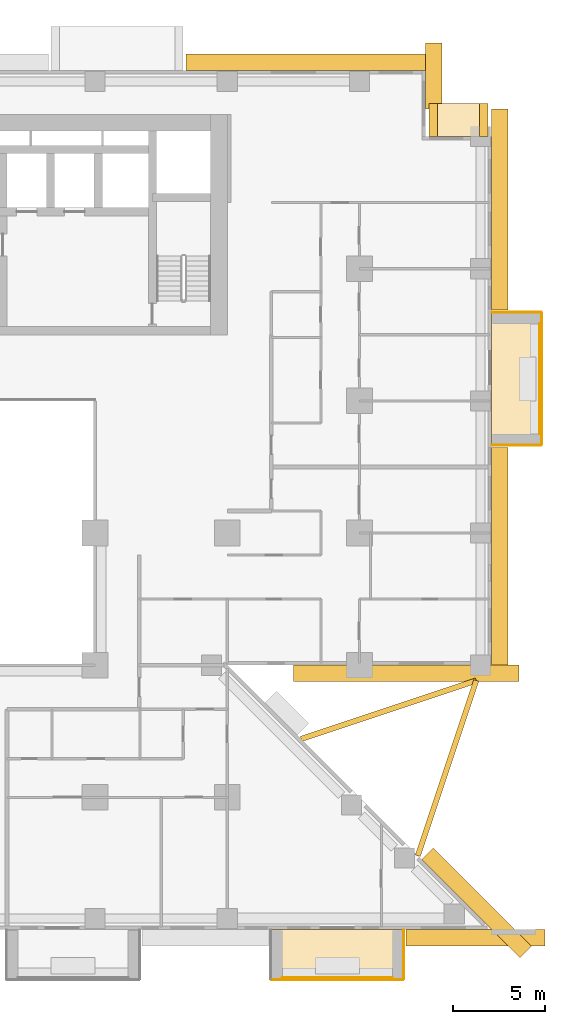
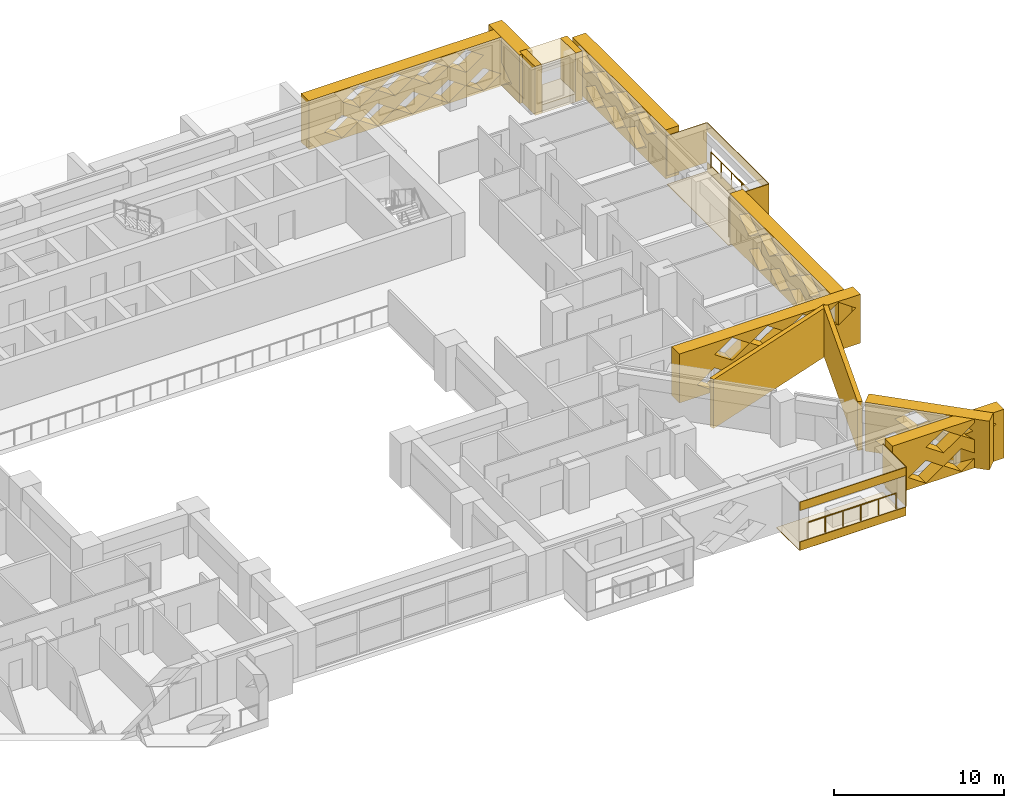
# One storey, part 17 of 17: 22 coverings, 2 railings.
"""IFC4 building model written with IfcOpenShell, lengths in metres."""

import ifcopenshell
import ifcopenshell.guid

model = None  # the IFC model being written
_history = None  # IfcOwnerHistory: only IFC2X3 demands one
_inside = {}  # id of a spatial element -> (the spatial element, [elements in it])
_under = {}  # id of a project, library or spatial element -> (it, [spatial elements below it])
_declared = {}  # id of a project -> (the project, [libraries it declares])
_typed = {}  # id of a type object -> (the type object, [elements of that type])
_made_of = {}  # id of a material, layer set ... -> (it, [elements and type objects made of it])


def new_model(schema):
    """Start an empty IFC model of exactly this schema.

    Asked for "IFC4X3", IfcOpenShell would pick the latest addendum, in which some entities
    have other attributes; the version numbers below select the first issue.
    IFC2X3 requires an IfcOwnerHistory on every rooted entity: one is made here for all.
    """
    global model, _history
    if schema == "IFC4X3":
        model = ifcopenshell.file(schema_version=(4, 3, 0, 0))
    else:
        model = ifcopenshell.file(schema=schema)
    _inside.clear()
    _under.clear()
    _declared.clear()
    _typed.clear()
    _made_of.clear()
    _history = None
    if model.schema == "IFC2X3":
        org = make("IfcOrganization", Name="unknown")
        user = make(
            "IfcPersonAndOrganization",
            ThePerson=make("IfcPerson", FamilyName="unknown"),
            TheOrganization=org,
        )
        app = make(
            "IfcApplication",
            ApplicationDeveloper=org,
            Version="unknown",
            ApplicationFullName="unknown",
            ApplicationIdentifier="unknown",
        )
        _history = make(
            "IfcOwnerHistory",
            OwningUser=user,
            OwningApplication=app,
            ChangeAction="ADDED",
            CreationDate=0,
        )
    return model


def make(cls, **values):
    """One entity of the class cls with the attributes given. An attribute that is None is left unset."""
    return model.create_entity(
        cls, **{name: value for name, value in values.items() if value is not None}
    )


def rooted(cls, **values):
    """An entity with a GlobalId (a new one), such as an element, a storey or a relation."""
    return make(cls, GlobalId=ifcopenshell.guid.new(), OwnerHistory=_history, **values)


def si_unit(unit_type, name, prefix=None):
    """IfcSIUnit, for example si_unit("LENGTHUNIT", "METRE", prefix="MILLI")."""
    return make("IfcSIUnit", UnitType=unit_type, Prefix=prefix, Name=name)


def assignment(units):
    """IfcUnitAssignment: the units of a project."""
    return None if units is None else make("IfcUnitAssignment", Units=units)


def point(xyz):
    """IfcCartesianPoint."""
    return None if xyz is None else make("IfcCartesianPoint", Coordinates=xyz)


def direction(xyz):
    """IfcDirection."""
    return None if xyz is None else make("IfcDirection", DirectionRatios=xyz)


def frame(location, z_axis=None, x_axis=None):
    """IfcAxis2Placement3D, a coordinate frame: its origin and axes. An axis left out is left unset."""
    return make(
        "IfcAxis2Placement3D",
        Location=point(location),
        Axis=direction(z_axis),
        RefDirection=direction(x_axis),
    )


def frame_2d(location, x_axis=None):
    """IfcAxis2Placement2D, a coordinate frame in the plane: its origin and x axis."""
    return make(
        "IfcAxis2Placement2D", Location=point(location), RefDirection=direction(x_axis)
    )


def origin():
    """The frame at (0, 0, 0) with its axes left unset."""
    return frame((0.0, 0.0, 0.0))


def origin_2d():
    """The frame at (0, 0) in the plane with its x axis left unset."""
    return frame_2d((0.0, 0.0))


def place(relative_to, where):
    """IfcLocalPlacement: puts the frame where relative to a parent placement (None: the world)."""
    return make(
        "IfcLocalPlacement", PlacementRelTo=relative_to, RelativePlacement=where
    )


def context(
    kind, dimensions, precision=None, world=None, true_north=None, identifier=None
):
    """IfcGeometricRepresentationContext, for example the 3D "Model" context."""
    return make(
        "IfcGeometricRepresentationContext",
        ContextIdentifier=identifier,
        ContextType=kind,
        CoordinateSpaceDimension=dimensions,
        Precision=precision,
        WorldCoordinateSystem=world,
        TrueNorth=true_north,
    )


def subcontext(parent, identifier, kind, view, scale=None):
    """IfcGeometricRepresentationSubContext, for example "Body" below "Model"."""
    return make(
        "IfcGeometricRepresentationSubContext",
        ContextIdentifier=identifier,
        ContextType=kind,
        ParentContext=parent,
        TargetScale=scale,
        TargetView=view,
    )


def project(units=None, contexts=None):
    """IfcProject with its units and contexts."""
    return rooted(
        "IfcProject",
        Name="project",
        RepresentationContexts=contexts,
        UnitsInContext=assignment(units),
    )


def spatial(cls, under=None, at=None, **own):
    """A site, building, storey or space (cls), placed at a placement, below another one or the project."""
    s = rooted(cls, ObjectPlacement=at, **own)
    if under is not None:
        _under.setdefault(under.id(), (under, []))[1].append(s)
    return s


def polyline(points):
    """IfcPolyline through the points."""
    return make("IfcPolyline", Points=[point(p) for p in points])


def profile(cls, at=None, kind="AREA", **sizes):
    """A parametric profile (cls). Its sizes go by their IFC names, for example OverallWidth=200.0."""
    return make(cls, ProfileType=kind, Position=at, **sizes)


def circle(**sizes):
    """IfcCircleProfileDef."""
    return profile("IfcCircleProfileDef", **sizes)


def outline(outer, holes=None, kind="AREA"):
    """IfcArbitraryClosedProfileDef: a profile drawn as a closed curve; with holes, ...WithVoids."""
    if holes is None:
        return make("IfcArbitraryClosedProfileDef", ProfileType=kind, OuterCurve=outer)
    return make(
        "IfcArbitraryProfileDefWithVoids",
        ProfileType=kind,
        OuterCurve=outer,
        InnerCurves=holes,
    )


def extrude(swept, where, along, depth):
    """IfcExtrudedAreaSolid: the profile swept, set in the frame where, extruded along a direction by depth."""
    return make(
        "IfcExtrudedAreaSolid",
        SweptArea=swept,
        Position=where,
        ExtrudedDirection=direction(along),
        Depth=depth,
    )


def shape(context_of_items, identifier, shape_type, items):
    """IfcShapeRepresentation: the items that make up one representation, for example the "Body"."""
    return make(
        "IfcShapeRepresentation",
        ContextOfItems=context_of_items,
        RepresentationIdentifier=identifier,
        RepresentationType=shape_type,
        Items=items,
    )


def material(Name=None, Category=None):
    """IfcMaterial."""
    return make("IfcMaterial", Name=Name, Category=Category)


def layer(
    of_material, thickness, ventilated=None, Name=None, Category=None, Priority=None
):
    """IfcMaterialLayer: one layer of a wall or slab, of a material (None: an air gap)."""
    return make(
        "IfcMaterialLayer",
        Material=of_material,
        LayerThickness=thickness,
        IsVentilated=ventilated,
        Name=Name,
        Category=Category,
        Priority=Priority,
    )


def layer_set(layers, Name=None):
    """IfcMaterialLayerSet."""
    return make("IfcMaterialLayerSet", MaterialLayers=layers, LayerSetName=Name)


def made_of(thing, what):
    """Note that an element or type object is made of a material, layer set ...; save() writes the relation."""
    if what is not None:
        _made_of.setdefault(what.id(), (what, []))[1].append(thing)
    return thing


def type_object(cls, material=None, **own):
    """A type object (cls), such as IfcWallType, which elements share."""
    return made_of(rooted(cls, **own), material)


def element(
    cls,
    number,
    at=None,
    inside=None,
    cuts=None,
    type_object=None,
    material=None,
    context=None,
    identifier="Body",
    shape_type=None,
    held_by="IfcProductDefinitionShape",
    body=None,
    shapes=None,
    **own,
):
    """One element of the class cls, such as IfcWall. Its Tag is "e" and its number.

    at: its placement. inside: the storey or other place that contains it. cuts: it is an
    opening in that element (IfcRelVoidsElement). A single representation is given by context,
    identifier, shape_type and body (its items); several are given by shapes. held_by: the class
    of the entity that holds the representations. save() writes the other relations.
    """
    e = rooted(cls, Tag="e%d" % number, ObjectPlacement=at, **own)
    if body is not None:
        shapes = [shape(context, identifier, shape_type, body)]
    if shapes is not None:
        e.Representation = make(held_by, Representations=shapes)
    if inside is not None:
        _inside.setdefault(inside.id(), (inside, []))[1].append(e)
    if cuts is not None:
        rooted(
            "IfcRelVoidsElement", RelatingBuildingElement=cuts, RelatedOpeningElement=e
        )
    if type_object is not None:
        _typed.setdefault(type_object.id(), (type_object, []))[1].append(e)
    return made_of(e, material)


def aggregate(whole, parts):
    """IfcRelAggregates: a whole, such as a stair, and the parts it consists of."""
    return rooted("IfcRelAggregates", RelatingObject=whole, RelatedObjects=parts)


def save(model, path):
    """Write the relations noted so far, then the file.

    IfcRelAggregates (storeys below a building ...), IfcRelContainedInSpatialStructure (elements
    in a storey), IfcRelDefinesByType, IfcRelAssociatesMaterial and IfcRelDeclares: one each for
    every whole, place, type object, material and project.
    """
    for whole, parts in _under.values():
        aggregate(whole, parts)
    for where, things in _inside.values():
        rooted(
            "IfcRelContainedInSpatialStructure",
            RelatedElements=things,
            RelatingStructure=where,
        )
    for kind, things in _typed.values():
        rooted("IfcRelDefinesByType", RelatedObjects=things, RelatingType=kind)
    for what, things in _made_of.values():
        rooted("IfcRelAssociatesMaterial", RelatedObjects=things, RelatingMaterial=what)
    for by, libraries in _declared.values():
        rooted("IfcRelDeclares", RelatingContext=by, RelatedDefinitions=libraries)
    model.write(path)


model = new_model("IFC4")

# Units and contexts
model_context = context("Model", 3, precision=1e-05, world=origin(), true_north=direction((0.0, 1.0)))
body_context = subcontext(model_context, "Body", "Model", "MODEL_VIEW")
ifc_project = project(units=[si_unit("LENGTHUNIT", "METRE"), si_unit("AREAUNIT", "SQUARE_METRE"), si_unit("VOLUMEUNIT", "CUBIC_METRE"), si_unit("PLANEANGLEUNIT", "RADIAN"), si_unit("MASSUNIT", "GRAM", prefix="KILO")], contexts=[model_context])

# Site, building, storey
site_placement = place(None, origin())
site = spatial("IfcSite", under=ifc_project, at=site_placement, CompositionType="ELEMENT")
building_placement = place(site_placement, origin())
building = spatial("IfcBuilding", under=site, at=building_placement, Name="Saffron Iwan Residences", CompositionType="ELEMENT")
storey_placement = place(building_placement, frame((0.0, 0.0, 37.5)))
storey = spatial("IfcBuildingStorey", under=building, at=storey_placement, Name="L08", CompositionType="ELEMENT", Elevation=37.5)

# Railings
ifc_material_1 = material(Name="Stainless steel 316", Category="steel")
railing_type = type_object("IfcRailingType", Name="BALCONY GUARD 1150", PredefinedType="GUARDRAIL", material=ifc_material_1)
railing_1_placement = place(storey_placement, frame((89.02490234375, 60.60009765625, 0.0)))
element("IfcRailing", 1, at=railing_1_placement, inside=storey, type_object=railing_type, Name="Balcony guard L08 F2-0", PredefinedType="GUARDRAIL", context=body_context, shape_type="SweptSolid", body=[
    extrude(circle(Radius=0.02392578125, at=origin_2d()), frame((0.0, 0.0, 1.1259765625), z_axis=(0.0, 1.0, 0.0), x_axis=(-1.0, 0.0, 0.0)), (0.0, 0.0, 1.0), 6.0),
    extrude(circle(Radius=0.02099609375, at=origin_2d()), origin(), (0.0, 0.0, 1.0), 1.101806640625),
    extrude(circle(Radius=0.02099609375, at=origin_2d()), frame((0.0, 1.199951171875, 0.0)), (0.0, 0.0, 1.0), 1.101806640625),
    extrude(circle(Radius=0.02099609375, at=origin_2d()), frame((0.0, 2.39990234375, 0.0)), (0.0, 0.0, 1.0), 1.101806640625),
    extrude(circle(Radius=0.02099609375, at=origin_2d()), frame((0.0, 3.60009765625, 0.0)), (0.0, 0.0, 1.0), 1.101806640625),
    extrude(circle(Radius=0.02099609375, at=origin_2d()), frame((0.0, 4.800048828125, 0.0)), (0.0, 0.0, 1.0), 1.101806640625),
    extrude(circle(Radius=0.02099609375, at=origin_2d()), frame((0.0, 6.0, 0.0)), (0.0, 0.0, 1.0), 1.101806640625),
])
railing_2_placement = place(storey_placement, frame((75.0, 30.97509765625, 0.0)))
element("IfcRailing", 2, at=railing_2_placement, inside=storey, type_object=railing_type, Name="Balcony guard L08 11-2", PredefinedType="GUARDRAIL", context=body_context, shape_type="SweptSolid", body=[
    extrude(circle(Radius=0.02392578125, at=origin_2d()), frame((0.0, 0.0, 1.1259765625), z_axis=(1.0, 0.0, 0.0), x_axis=(0.0, 1.0, 0.0)), (0.0, 0.0, 1.0), 6.0),
    extrude(circle(Radius=0.02099609375, at=origin_2d()), origin(), (0.0, 0.0, 1.0), 1.101806640625),
    extrude(circle(Radius=0.02099609375, at=origin_2d()), frame((1.199951171875, 0.0, 0.0)), (0.0, 0.0, 1.0), 1.101806640625),
    extrude(circle(Radius=0.02099609375, at=origin_2d()), frame((2.39990234375, 0.0, 0.0)), (0.0, 0.0, 1.0), 1.101806640625),
    extrude(circle(Radius=0.02099609375, at=origin_2d()), frame((3.60009765625, 0.0, 0.0)), (0.0, 0.0, 1.0), 1.101806640625),
    extrude(circle(Radius=0.02099609375, at=origin_2d()), frame((4.800048828125, 0.0, 0.0)), (0.0, 0.0, 1.0), 1.101806640625),
    extrude(circle(Radius=0.02099609375, at=origin_2d()), frame((6.0, 0.0, 0.0)), (0.0, 0.0, 1.0), 1.101806640625),
])

# Coverings
ifc_material_2 = material(Name="Precast concrete C40/50 white painted", Category="concrete")
ifc_layer_1 = layer(ifc_material_2, 0.050048828125)
ifc_layer_set_1 = layer_set([ifc_layer_1], Name="Precast concrete C40/50 white painted")
covering_type_1 = type_object("IfcCoveringType", Name="FRAME SKIN PRECAST WHITE 50", PredefinedType="CLADDING", material=ifc_layer_set_1)
for number, where, name in (
    (3, (0.0, 0.0, -0.60009765625), "Frame skin slab edge L08 F2-0"),
    (4, (0.0, 0.0, 2.25), "Frame skin fascia L08 F2-0"),
):
    element("IfcCovering", number, at=place(storey_placement, frame(where)), inside=storey, type_object=covering_type_1, Name=name, PredefinedType="CLADDING", context=body_context, shape_type="SweptSolid", body=[
        extrude(outline(polyline([(89.14990234375, 60.0), (89.14990234375, 67.199951171875), (89.10009765625, 67.199951171875), (89.10009765625, 60.0), (89.14990234375, 60.0)])), origin(), (0.0, 0.0, 1.0), 0.60009765625),
    ])
covering_1_placement = place(storey_placement, frame((0.0, 0.0, -0.64990234375)))
element("IfcCovering", 5, at=covering_1_placement, inside=storey, type_object=covering_type_1, Name="Frame skin soffit L08 F2-0", PredefinedType="CLADDING", context=body_context, shape_type="SweptSolid", body=[
    extrude(outline(polyline([(89.10009765625, 60.0), (89.10009765625, 67.199951171875), (86.39990234375, 67.199951171875), (86.39990234375, 60.0), (89.10009765625, 60.0)])), origin(), (0.0, 0.0, 1.0), 0.0498046875),
])
covering_2_placement = place(storey_placement, origin())
element("IfcCovering", 6, at=covering_2_placement, inside=storey, type_object=covering_type_1, Name="Frame skin fin L08 F2-0a", PredefinedType="CLADDING", context=body_context, shape_type="SweptSolid", body=[
    extrude(outline(polyline([(89.10009765625, 59.949951171875), (89.10009765625, 60.0), (86.39990234375, 60.0), (86.39990234375, 59.949951171875), (89.10009765625, 59.949951171875)])), origin(), (0.0, 0.0, 1.0), 2.85009765625),
])
covering_3_placement = place(storey_placement, origin())
element("IfcCovering", 7, at=covering_3_placement, inside=storey, type_object=covering_type_1, Name="Frame skin fin L08 F2-0b", PredefinedType="CLADDING", context=body_context, shape_type="SweptSolid", body=[
    extrude(outline(polyline([(89.10009765625, 67.199951171875), (89.10009765625, 67.25), (86.39990234375, 67.25), (86.39990234375, 67.199951171875), (89.10009765625, 67.199951171875)])), origin(), (0.0, 0.0, 1.0), 2.85009765625),
])
for number, where, name in (
    (8, (0.0, 0.0, -0.60009765625), "Frame skin slab edge L08 11-2"),
    (9, (0.0, 0.0, 2.25), "Frame skin fascia L08 11-2"),
):
    element("IfcCovering", number, at=place(storey_placement, frame(where)), inside=storey, type_object=covering_type_1, Name=name, PredefinedType="CLADDING", context=body_context, shape_type="SweptSolid", body=[
        extrude(outline(polyline([(74.39990234375, 30.85009765625), (81.60009765625, 30.85009765625), (81.60009765625, 30.89990234375), (74.39990234375, 30.89990234375), (74.39990234375, 30.85009765625)])), origin(), (0.0, 0.0, 1.0), 0.60009765625),
    ])
covering_4_placement = place(storey_placement, frame((0.0, 0.0, -0.64990234375)))
element("IfcCovering", 10, at=covering_4_placement, inside=storey, type_object=covering_type_1, Name="Frame skin soffit L08 11-2", PredefinedType="CLADDING", context=body_context, shape_type="SweptSolid", body=[
    extrude(outline(polyline([(74.39990234375, 30.89990234375), (81.60009765625, 30.89990234375), (81.60009765625, 33.60009765625), (74.39990234375, 33.60009765625), (74.39990234375, 30.89990234375)])), origin(), (0.0, 0.0, 1.0), 0.0498046875),
])
covering_5_placement = place(storey_placement, origin())
element("IfcCovering", 11, at=covering_5_placement, inside=storey, type_object=covering_type_1, Name="Frame skin fin L08 11-2b", PredefinedType="CLADDING", context=body_context, shape_type="SweptSolid", body=[
    extrude(outline(polyline([(81.60009765625, 30.89990234375), (81.64990234375, 30.89990234375), (81.64990234375, 33.60009765625), (81.60009765625, 33.60009765625), (81.60009765625, 30.89990234375)])), origin(), (0.0, 0.0, 1.0), 2.85009765625),
])
ifc_material_3 = material(Name="Precast concrete C40/50", Category="concrete")
covering_type_2 = type_object("IfcCoveringType", Name="OUTER SKIN LATTICE SCREEN", PredefinedType="CLADDING", material=ifc_material_3)
covering_6_placement = place(storey_placement, frame((87.939453125, 32.060546875, -0.320068359375), z_axis=(0.706971125213, 0.70724241114, 0.0), x_axis=(-0.70724241114, 0.706971125213, 0.0)))
element("IfcCovering", 12, at=covering_6_placement, inside=storey, type_object=covering_type_2, Name="OUTER SKIN lattice screen L08 F0.0", PredefinedType="CLADDING", context=body_context, shape_type="SweptSolid", body=[
    extrude(outline(polyline([(0.0, 0.0), (7.559326171875, 0.0), (7.559326171875, 3.5), (0.0, 3.5), (0.0, 0.0)]), holes=[polyline([(2.197021484375, 0.875), (3.377197265625, 0.06005859375), (4.55712890625, 0.875), (3.377197265625, 1.68994140625), (2.197021484375, 0.875)]), polyline([(4.59716796875, 0.875), (5.777099609375, 0.06005859375), (6.95703125, 0.875), (5.777099609375, 1.68994140625), (4.59716796875, 0.875)]), polyline([(0.9970703125, 2.625), (2.177001953125, 1.81005859375), (3.357177734375, 2.625), (2.177001953125, 3.43994140625), (0.9970703125, 2.625)]), polyline([(3.397216796875, 2.625), (4.5771484375, 1.81005859375), (5.757080078125, 2.625), (4.5771484375, 3.43994140625), (3.397216796875, 2.625)])]), origin(), (0.0, 0.0, 1.0), 0.89990234375),
])
covering_7_placement = place(storey_placement, frame((75.6171875, 48.0, -0.320068359375), z_axis=(0.0, -1.0, 0.0), x_axis=(1.0, 0.0, 0.0)))
element("IfcCovering", 13, at=covering_7_placement, inside=storey, type_object=covering_type_2, Name="OUTER SKIN lattice screen L08 F1.0", PredefinedType="CLADDING", context=body_context, shape_type="SweptSolid", body=[
    extrude(outline(polyline([(0.0, 0.0), (12.282958984375, 0.0), (12.282958984375, 3.5), (0.0, 3.5), (0.0, 0.0)]), holes=[polyline([(1.202880859375, 0.875), (2.3828125, 0.06005859375), (3.56298828125, 0.875), (2.3828125, 1.68994140625), (1.202880859375, 0.875)]), polyline([(3.602783203125, 0.875), (4.782958984375, 0.06005859375), (5.962890625, 0.875), (4.782958984375, 1.68994140625), (3.602783203125, 0.875)]), polyline([(6.0029296875, 0.875), (7.182861328125, 0.06005859375), (8.36279296875, 0.875), (7.182861328125, 1.68994140625), (6.0029296875, 0.875)]), polyline([(8.40283203125, 0.875), (9.5830078125, 0.06005859375), (10.762939453125, 0.875), (9.5830078125, 1.68994140625), (8.40283203125, 0.875)]), polyline([(2.40283203125, 2.625), (3.5830078125, 1.81005859375), (4.762939453125, 2.625), (3.5830078125, 3.43994140625), (2.40283203125, 2.625)]), polyline([(4.802978515625, 2.625), (5.98291015625, 1.81005859375), (7.162841796875, 2.625), (5.98291015625, 3.43994140625), (4.802978515625, 2.625)]), polyline([(7.202880859375, 2.625), (8.3828125, 1.81005859375), (9.56298828125, 2.625), (8.3828125, 3.43994140625), (7.202880859375, 2.625)]), polyline([(9.602783203125, 2.625), (10.782958984375, 1.81005859375), (11.962890625, 2.625), (10.782958984375, 3.43994140625), (9.602783203125, 2.625)])]), origin(), (0.0, 0.0, 1.0), 0.89990234375),
])
covering_8_placement = place(storey_placement, frame((86.39990234375, 47.10009765625, -0.320068359375), z_axis=(1.0, 0.0, 0.0), x_axis=(0.0, 1.0, 0.0)))
element("IfcCovering", 14, at=covering_8_placement, inside=storey, type_object=covering_type_2, Name="OUTER SKIN lattice screen L08 F2.0", PredefinedType="CLADDING", context=body_context, shape_type="SweptSolid", body=[
    extrude(outline(polyline([(0.0, 0.0), (12.75, 0.0), (12.75, 3.5), (0.0, 3.5), (0.0, 0.0)]), holes=[polyline([(0.919921875, 0.875), (2.10009765625, 0.06005859375), (3.280029296875, 0.875), (2.10009765625, 1.68994140625), (0.919921875, 0.875)]), polyline([(3.320068359375, 0.875), (4.5, 0.06005859375), (5.679931640625, 0.875), (4.5, 1.68994140625), (3.320068359375, 0.875)]), polyline([(5.719970703125, 0.875), (6.89990234375, 0.06005859375), (8.080078125, 0.875), (6.89990234375, 1.68994140625), (5.719970703125, 0.875)]), polyline([(8.1201171875, 0.875), (9.300048828125, 0.06005859375), (10.47998046875, 0.875), (9.300048828125, 1.68994140625), (8.1201171875, 0.875)]), polyline([(2.1201171875, 2.625), (3.300048828125, 1.81005859375), (4.47998046875, 2.625), (3.300048828125, 3.43994140625), (2.1201171875, 2.625)]), polyline([(4.52001953125, 2.625), (5.699951171875, 1.81005859375), (6.8798828125, 2.625), (5.699951171875, 3.43994140625), (4.52001953125, 2.625)]), polyline([(6.919921875, 2.625), (8.10009765625, 1.81005859375), (9.280029296875, 2.625), (8.10009765625, 3.43994140625), (6.919921875, 2.625)]), polyline([(9.320068359375, 2.625), (10.5, 1.81005859375), (11.679931640625, 2.625), (10.5, 3.43994140625), (9.320068359375, 2.625)])]), origin(), (0.0, 0.0, 1.0), 0.900146484375),
])
covering_9_placement = place(storey_placement, frame((86.39990234375, 67.35009765625, -0.320068359375), z_axis=(1.0, 0.0, 0.0), x_axis=(0.0, 1.0, 0.0)))
element("IfcCovering", 15, at=covering_9_placement, inside=storey, type_object=covering_type_2, Name="OUTER SKIN lattice screen L08 F2.1", PredefinedType="CLADDING", context=body_context, shape_type="SweptSolid", body=[
    extrude(outline(polyline([(0.0, 0.0), (10.949951171875, 0.0), (10.949951171875, 3.5), (0.0, 3.5), (0.0, 0.0)]), holes=[polyline([(2.27001953125, 0.875), (3.449951171875, 0.06005859375), (4.6298828125, 0.875), (3.449951171875, 1.68994140625), (2.27001953125, 0.875)]), polyline([(4.669921875, 0.875), (5.85009765625, 0.06005859375), (7.030029296875, 0.875), (5.85009765625, 1.68994140625), (4.669921875, 0.875)]), polyline([(7.070068359375, 0.875), (8.25, 0.06005859375), (9.429931640625, 0.875), (8.25, 1.68994140625), (7.070068359375, 0.875)]), polyline([(1.070068359375, 2.625), (2.25, 1.81005859375), (3.429931640625, 2.625), (2.25, 3.43994140625), (1.070068359375, 2.625)]), polyline([(3.469970703125, 2.625), (4.64990234375, 1.81005859375), (5.830078125, 2.625), (4.64990234375, 3.43994140625), (3.469970703125, 2.625)]), polyline([(5.8701171875, 2.625), (7.050048828125, 1.81005859375), (8.22998046875, 2.625), (7.050048828125, 3.43994140625), (5.8701171875, 2.625)]), polyline([(8.27001953125, 2.625), (9.449951171875, 1.81005859375), (10.6298828125, 2.625), (9.449951171875, 3.43994140625), (8.27001953125, 2.625)])]), origin(), (0.0, 0.0, 1.0), 0.900146484375),
])
covering_10_placement = place(storey_placement, frame((82.800048828125, 78.300048828125, -0.320068359375), z_axis=(1.0, 0.0, 0.0), x_axis=(0.0, 1.0, 0.0)))
element("IfcCovering", 16, at=covering_10_placement, inside=storey, type_object=covering_type_2, Name="OUTER SKIN lattice screen L08 F4.0", PredefinedType="CLADDING", context=body_context, shape_type="SweptSolid", body=[
    extrude(outline(polyline([(0.0, 0.0), (3.60009765625, 0.0), (3.60009765625, 3.5), (0.0, 3.5), (0.0, 0.0)]), holes=[polyline([(0.919921875, 0.875), (2.10009765625, 0.06005859375), (3.280029296875, 0.875), (2.10009765625, 1.68994140625), (0.919921875, 0.875)])]), origin(), (0.0, 0.0, 1.0), 0.89990234375),
])
covering_11_placement = place(storey_placement, frame((83.699951171875, 80.39990234375, -0.320068359375), z_axis=(0.0, 1.0, 0.0), x_axis=(-1.0, 0.0, 0.0)))
element("IfcCovering", 17, at=covering_11_placement, inside=storey, type_object=covering_type_2, Name="OUTER SKIN lattice screen L08 F5.0", PredefinedType="CLADDING", context=body_context, shape_type="SweptSolid", body=[
    extrude(outline(polyline([(0.0, 0.0), (13.949951171875, 0.0), (13.949951171875, 3.5), (0.0, 3.5), (0.0, 0.0)]), holes=[polyline([(0.919921875, 0.875), (2.10009765625, 0.06005859375), (3.280029296875, 0.875), (2.10009765625, 1.68994140625), (0.919921875, 0.875)]), polyline([(3.320068359375, 0.875), (4.5, 0.06005859375), (5.679931640625, 0.875), (4.5, 1.68994140625), (3.320068359375, 0.875)]), polyline([(5.719970703125, 0.875), (6.89990234375, 0.06005859375), (8.080078125, 0.875), (6.89990234375, 1.68994140625), (5.719970703125, 0.875)]), polyline([(8.1201171875, 0.875), (9.300048828125, 0.06005859375), (10.47998046875, 0.875), (9.300048828125, 1.68994140625), (8.1201171875, 0.875)]), polyline([(10.52001953125, 0.875), (11.699951171875, 0.06005859375), (12.8798828125, 0.875), (11.699951171875, 1.68994140625), (10.52001953125, 0.875)]), polyline([(2.1201171875, 2.625), (3.300048828125, 1.81005859375), (4.47998046875, 2.625), (3.300048828125, 3.43994140625), (2.1201171875, 2.625)]), polyline([(4.52001953125, 2.625), (5.699951171875, 1.81005859375), (6.8798828125, 2.625), (5.699951171875, 3.43994140625), (4.52001953125, 2.625)]), polyline([(6.919921875, 2.625), (8.10009765625, 1.81005859375), (9.280029296875, 2.625), (8.10009765625, 3.43994140625), (6.919921875, 2.625)]), polyline([(9.320068359375, 2.625), (10.5, 1.81005859375), (11.679931640625, 2.625), (10.5, 3.43994140625), (9.320068359375, 2.625)])]), origin(), (0.0, 0.0, 1.0), 0.900146484375),
])
covering_12_placement = place(storey_placement, frame((81.75, 33.60009765625, -0.320068359375), z_axis=(0.0, -1.0, 0.0), x_axis=(1.0, 0.0, 0.0)))
element("IfcCovering", 18, at=covering_12_placement, inside=storey, type_object=covering_type_2, Name="OUTER SKIN lattice screen L08 F11.3", PredefinedType="CLADDING", context=body_context, shape_type="SweptSolid", body=[
    extrude(outline(polyline([(0.0, 0.0), (7.547119140625, 0.0), (7.547119140625, 3.5), (0.0, 3.5), (0.0, 0.0)]), holes=[polyline([(1.070068359375, 0.875), (2.25, 0.06005859375), (3.429931640625, 0.875), (2.25, 1.68994140625), (1.070068359375, 0.875)]), polyline([(3.469970703125, 0.875), (4.64990234375, 0.06005859375), (5.830078125, 0.875), (4.64990234375, 1.68994140625), (3.469970703125, 0.875)]), polyline([(2.27001953125, 2.625), (3.449951171875, 1.81005859375), (4.6298828125, 2.625), (3.449951171875, 3.43994140625), (2.27001953125, 2.625)]), polyline([(4.669921875, 2.625), (5.85009765625, 1.81005859375), (7.030029296875, 2.625), (5.85009765625, 3.43994140625), (4.669921875, 2.625)])]), origin(), (0.0, 0.0, 1.0), 0.900146484375),
])
ifc_layer_2 = layer(ifc_material_2, 0.300048828125)
ifc_layer_set_2 = layer_set([ifc_layer_2], Name="Precast concrete C40/50 white painted")
covering_type_3 = type_object("IfcCoveringType", Name="PROW NOSE BLADE PRECAST WHITE", PredefinedType="CLADDING", material=ifc_layer_set_2)
covering_13_placement = place(storey_placement, frame((0.0, 0.0, -0.320068359375)))
element("IfcCovering", 19, at=covering_13_placement, inside=storey, type_object=covering_type_3, Name="Prow nose blade L08 a", PredefinedType="CLADDING", context=body_context, shape_type="SweptSolid", body=[
    extrude(outline(polyline([(82.5244140625, 37.570556640625), (85.706298828125, 47.116455078125), (85.421630859375, 47.21142578125), (82.23974609375, 37.66552734375), (82.5244140625, 37.570556640625)])), origin(), (0.0, 0.0, 1.0), 3.5),
])
covering_14_placement = place(storey_placement, frame((0.0, 0.0, -0.320068359375)))
element("IfcCovering", 20, at=covering_14_placement, inside=storey, type_object=covering_type_3, Name="Prow nose blade L08 b", PredefinedType="CLADDING", context=body_context, shape_type="SweptSolid", body=[
    extrude(outline(polyline([(76.0654296875, 43.839599609375), (85.611328125, 47.021728515625), (85.5166015625, 47.306396484375), (75.970703125, 44.124267578125), (76.0654296875, 43.839599609375)])), origin(), (0.0, 0.0, 1.0), 3.5),
])
covering_type_4 = type_object("IfcCoveringType", Name="WHITE SUN FRAME PRECAST", PredefinedType="CLADDING", material=ifc_material_2)
for number, where, z_axis, x_axis, name in (
    (21, (86.199951171875, 76.800048828125, -0.320068359375), (0.0, 1.0, 0.0), (-1.0, 0.0, 0.0), "Sun frame L08 F3 0.2a"),
    (22, (83.449951171875, 76.800048828125, -0.320068359375), (0.0, 1.0, 0.0), (-1.0, 0.0, 0.0), "Sun frame L08 F3 0.2b"),
):
    element("IfcCovering", number, at=place(storey_placement, frame(where, z_axis=z_axis, x_axis=x_axis)), inside=storey, type_object=covering_type_4, Name=name, PredefinedType="CLADDING", context=body_context, shape_type="SweptSolid", body=[
        extrude(outline(polyline([(0.0, 0.0), (0.449951171875, 0.0), (0.449951171875, 3.5), (0.0, 3.5), (0.0, 0.0)])), origin(), (0.0, 0.0, 1.0), 1.800048828125),
    ])
for number, where, z_axis, x_axis, name in (
    (23, (85.75, 76.800048828125, 2.580078125), (0.0, 1.0, 0.0), (-1.0, 0.0, 0.0), "Sun frame L08 F3 0.2h"),
    (24, (85.75, 76.800048828125, -0.320068359375), (0.0, 1.0, 0.0), (-1.0, 0.0, 0.0), "Sun frame L08 F3 0.2s"),
):
    element("IfcCovering", number, at=place(storey_placement, frame(where, z_axis=z_axis, x_axis=x_axis)), inside=storey, type_object=covering_type_4, Name=name, PredefinedType="CLADDING", context=body_context, shape_type="SweptSolid", body=[
        extrude(outline(polyline([(0.0, 0.0), (2.300048828125, 0.0), (2.300048828125, 0.60009765625), (0.0, 0.60009765625), (0.0, 0.0)])), origin(), (0.0, 0.0, 1.0), 1.800048828125),
    ])

save(model, "model.ifc")
